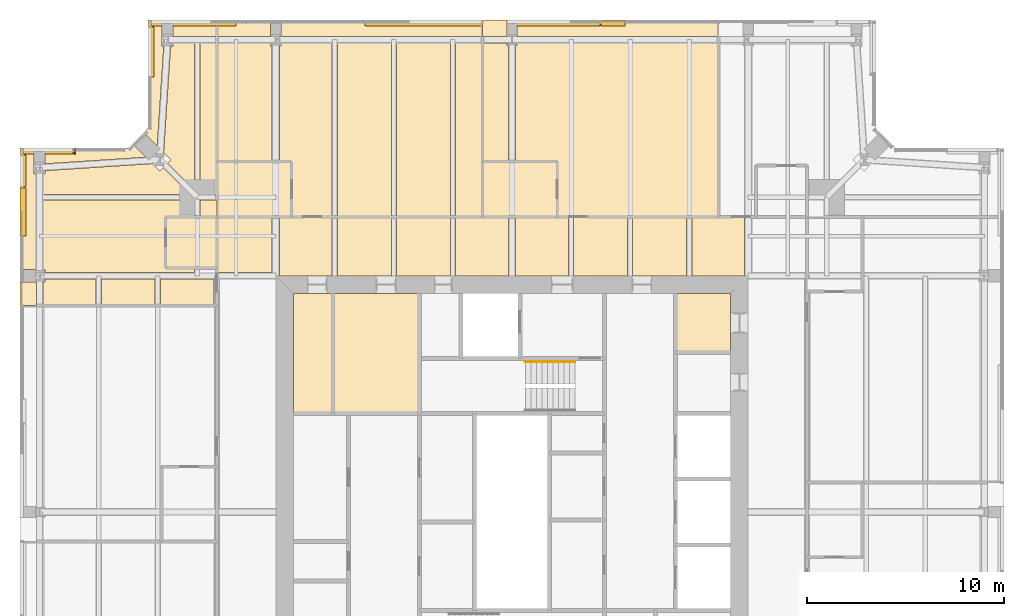
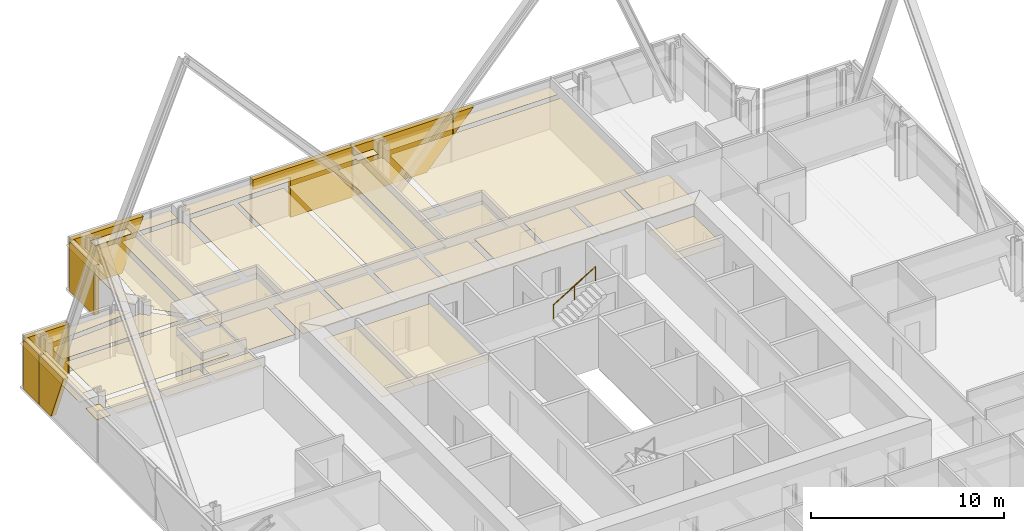
# One storey, part 18 of 19: 48 coverings, 1 railing.
"""IFC4 building model written with IfcOpenShell, lengths in metres."""

from ifc_helpers import new_model, si_unit, direction, frame, origin, origin_2d, place, context, subcontext, project, spatial, polyline, circle, outline, extrude, material, layer, layer_set, type_object, element, save


model = new_model("IFC4")

# Units and contexts
model_context = context("Model", 3, precision=1e-05, world=origin(), true_north=direction((0.0, 1.0)))
body_context = subcontext(model_context, "Body", "Model", "MODEL_VIEW")
ifc_project = project(units=[si_unit("LENGTHUNIT", "METRE"), si_unit("AREAUNIT", "SQUARE_METRE"), si_unit("VOLUMEUNIT", "CUBIC_METRE"), si_unit("PLANEANGLEUNIT", "RADIAN"), si_unit("MASSUNIT", "GRAM", prefix="KILO")], contexts=[model_context])

# Site, building, storey
site_placement = place(None, origin())
site = spatial("IfcSite", under=ifc_project, at=site_placement, CompositionType="ELEMENT")
building_placement = place(site_placement, origin())
building = spatial("IfcBuilding", under=site, at=building_placement, Name="Fenwick Lantern Interchange", CompositionType="ELEMENT")
storey_placement = place(building_placement, frame((0.0, 0.0, 283.199951171875)))
storey = spatial("IfcBuildingStorey", under=building, at=storey_placement, Name="L68", CompositionType="ELEMENT", Elevation=283.199951171875)

# Coverings
ifc_material_1 = material(Name="Granite cladding, warm grey flamed finish, on aluminium carrier frame", Category="masonry")
ifc_layer_1 = layer(ifc_material_1, 0.300048828125)
ifc_layer_set_1 = layer_set([ifc_layer_1], Name="BRACE CASING PANEL 300")
covering_type_1 = type_object("IfcCoveringType", Name="BRACE CASING PANEL 300", PredefinedType="CLADDING", material=ifc_layer_set_1)
covering_1_placement = place(storey_placement, frame((43.39990234375, 49.89990234375, 1.77685546875), z_axis=(0.0, 0.0, 1.0), x_axis=(-1.0, 0.0, 0.0)))
element("IfcCovering", 1, at=covering_1_placement, inside=storey, type_object=covering_type_1, Name="Brace casing 09 bay 02a", PredefinedType="CLADDING", context=body_context, shape_type="SweptSolid", body=[
    extrude(outline(polyline([(13.8701171875, 0.0), (13.8701171875, 1.373291015625), (12.648193359375, 1.373291015625), (13.8701171875, 0.0)])), frame((0.0, 0.2099609375, 0.0), z_axis=(0.0, -1.0, 0.0), x_axis=(1.0, 0.0, 0.0)), (0.0, 0.0, 1.0), 0.300048828125),
])
covering_2_placement = place(storey_placement, frame((43.39990234375, 49.89990234375, 0.0), z_axis=(0.0, 0.0, 1.0), x_axis=(-1.0, 0.0, 0.0)))
element("IfcCovering", 2, at=covering_2_placement, inside=storey, type_object=covering_type_1, Name="Brace casing 09 bay 03a", PredefinedType="CLADDING", context=body_context, shape_type="SweptSolid", body=[
    extrude(outline(polyline([(15.451171875, 0.0), (19.8701171875, 0.0), (19.8701171875, 3.150146484375), (13.929931640625, 3.150146484375), (13.929931640625, 1.70947265625), (15.451171875, 0.0)])), frame((0.0, 0.2099609375, 0.0), z_axis=(0.0, -1.0, 0.0), x_axis=(1.0, 0.0, 0.0)), (0.0, 0.0, 1.0), 0.300048828125),
])
covering_3_placement = place(storey_placement, frame((43.39990234375, 49.89990234375, 0.0), z_axis=(0.0, 0.0, 1.0), x_axis=(-1.0, 0.0, 0.0)))
element("IfcCovering", 3, at=covering_3_placement, inside=storey, type_object=covering_type_1, Name="Brace casing 09 bay 04a", PredefinedType="CLADDING", context=body_context, shape_type="SweptSolid", body=[
    extrude(outline(polyline([(19.929931640625, 0.0), (23.608642578125, 0.0), (23.608642578125, 2.539794921875), (25.8701171875, 2.539794921875), (25.8701171875, 3.150146484375), (19.929931640625, 3.150146484375), (19.929931640625, 0.0)])), frame((0.0, 0.2099609375, 0.0), z_axis=(0.0, -1.0, 0.0), x_axis=(1.0, 0.0, 0.0)), (0.0, 0.0, 1.0), 0.300048828125),
])
covering_4_placement = place(storey_placement, frame((43.39990234375, 49.89990234375, 0.0), z_axis=(0.0, 0.0, 1.0), x_axis=(-1.0, 0.0, 0.0)))
element("IfcCovering", 4, at=covering_4_placement, inside=storey, type_object=covering_type_1, Name="Brace casing 09 bay 06a", PredefinedType="CLADDING", context=body_context, shape_type="SweptSolid", body=[
    extrude(outline(polyline([(33.708984375, 0.0), (36.739990234375, 0.0), (36.739990234375, 3.150146484375), (32.424072265625, 3.150146484375), (33.708984375, 0.0)])), frame((0.0, 0.2099609375, 0.0), z_axis=(0.0, -1.0, 0.0), x_axis=(1.0, 0.0, 0.0)), (0.0, 0.0, 1.0), 0.300048828125),
])
covering_5_placement = place(storey_placement, frame((6.60009765625, 49.89990234375, 0.0), z_axis=(0.0, 0.0, 1.0), x_axis=(0.0, -1.0, 0.0)))
element("IfcCovering", 5, at=covering_5_placement, inside=storey, type_object=covering_type_1, Name="Brace casing 10 bay 00a", PredefinedType="CLADDING", context=body_context, shape_type="SweptSolid", body=[
    extrude(outline(polyline([(0.260009765625, 0.0), (2.790771484375, 0.0), (2.790771484375, 3.150146484375), (0.260009765625, 3.150146484375), (0.260009765625, 0.0)])), frame((0.0, 0.2099609375, 0.0), z_axis=(0.0, -1.0, 0.0), x_axis=(1.0, 0.0, 0.0)), (0.0, 0.0, 1.0), 0.300048828125),
])
covering_6_placement = place(storey_placement, frame((5.54150390625, 43.39990234375, 0.0), z_axis=(0.0, 0.0, 1.0), x_axis=(-1.0, 0.0, 0.0)))
element("IfcCovering", 6, at=covering_6_placement, inside=storey, type_object=covering_type_1, Name="Brace casing 12 bay 00a", PredefinedType="CLADDING", context=body_context, shape_type="SweptSolid", body=[
    extrude(outline(polyline([(2.741455078125, 0.0), (2.790771484375, 0.0), (2.790771484375, 3.150146484375), (2.741455078125, 3.150146484375), (2.741455078125, 0.0)])), frame((0.0, 0.2099609375, 0.0), z_axis=(0.0, -1.0, 0.0), x_axis=(1.0, 0.0, 0.0)), (0.0, 0.0, 1.0), 0.300048828125),
])
covering_7_placement = place(storey_placement, frame((5.54150390625, 43.39990234375, 0.0), z_axis=(0.0, 0.0, 1.0), x_axis=(-1.0, 0.0, 0.0)))
element("IfcCovering", 7, at=covering_7_placement, inside=storey, type_object=covering_type_1, Name="Brace casing 12 bay 01a", PredefinedType="CLADDING", context=body_context, shape_type="SweptSolid", body=[
    extrude(outline(polyline([(2.850830078125, 0.0), (5.38134765625, 0.0), (5.38134765625, 3.150146484375), (2.850830078125, 3.150146484375), (2.850830078125, 0.0)])), frame((0.0, 0.2099609375, 0.0), z_axis=(0.0, -1.0, 0.0), x_axis=(1.0, 0.0, 0.0)), (0.0, 0.0, 1.0), 0.300048828125),
])
covering_8_placement = place(storey_placement, frame((0.10009765625, 43.39990234375, 0.0), z_axis=(0.0, 0.0, 1.0), x_axis=(0.0, -1.0, 0.0)))
element("IfcCovering", 8, at=covering_8_placement, inside=storey, type_object=covering_type_1, Name="Brace casing 13 bay 00a", PredefinedType="CLADDING", context=body_context, shape_type="SweptSolid", body=[
    extrude(outline(polyline([(0.260009765625, 0.0), (1.8701171875, 0.0), (1.8701171875, 3.150146484375), (0.260009765625, 3.150146484375), (0.260009765625, 0.0)])), frame((0.0, 0.2099609375, 0.0), z_axis=(0.0, -1.0, 0.0), x_axis=(1.0, 0.0, 0.0)), (0.0, 0.0, 1.0), 0.300048828125),
])
covering_9_placement = place(storey_placement, frame((0.10009765625, 43.39990234375, 0.0), z_axis=(0.0, 0.0, 1.0), x_axis=(0.0, -1.0, 0.0)))
element("IfcCovering", 9, at=covering_9_placement, inside=storey, type_object=covering_type_1, Name="Brace casing 13 bay 01a", PredefinedType="CLADDING", context=body_context, shape_type="SweptSolid", body=[
    extrude(outline(polyline([(1.929931640625, 0.0), (3.091064453125, 0.0), (4.3759765625, 3.150146484375), (1.929931640625, 3.150146484375), (1.929931640625, 0.0)])), frame((0.0, 0.2099609375, 0.0), z_axis=(0.0, -1.0, 0.0), x_axis=(1.0, 0.0, 0.0)), (0.0, 0.0, 1.0), 0.300048828125),
])

# Railing
ifc_material_2 = material(Name="Stainless steel handrail", Category="steel")
railing_type = type_object("IfcRailingType", Name="HANDRAIL 900", PredefinedType="HANDRAIL", material=ifc_material_2)
railing_placement = place(storey_placement, frame((25.679931640625, 32.6259765625, 1.8701171875)))
element("IfcRailing", 10, at=railing_placement, inside=storey, type_object=railing_type, Name="L68/STAIR/ST2/HR2", PredefinedType="HANDRAIL", context=body_context, shape_type="SweptSolid", body=[
    extrude(circle(Radius=0.02392578125, at=origin_2d()), frame((0.0, 0.0, 0.8759765625), z_axis=(0.85478489116, 0.0, 0.518982456201), x_axis=(0.0, 1.0, 0.0)), (0.0, 0.0, 1.0), 2.9482421875),
    extrude(circle(Radius=0.02099609375, at=origin_2d()), origin(), (0.0, 0.0, 1.0), 0.851806640625),
    extrude(circle(Radius=0.02099609375, at=origin_2d()), frame((1.260009765625, 0.0, 0.76513671875)), (0.0, 0.0, 1.0), 0.851806640625),
    extrude(circle(Radius=0.02099609375, at=origin_2d()), frame((2.52001953125, 0.0, 1.530029296875)), (0.0, 0.0, 1.0), 0.851806640625),
])

# Coverings
ifc_material_3 = material(Name="Moisture resistant gypsum board on suspended frame, painted")
ifc_layer_2 = layer(ifc_material_3, 0.014892578125)
ifc_layer_set_2 = layer_set([ifc_layer_2], Name="MOISTURE RESISTANT CEILING 15")
covering_type_2 = type_object("IfcCoveringType", Name="MOISTURE RESISTANT CEILING 15", PredefinedType="CEILING", material=ifc_layer_set_2)
covering_10_placement = place(storey_placement, frame((0.0, 0.0, 2.60009765625)))
element("IfcCovering", 11, at=covering_10_placement, inside=storey, type_object=covering_type_2, Name="Women's WC ceiling", PredefinedType="CEILING", context=body_context, shape_type="SweptSolid", body=[
    extrude(outline(polyline([(20.300048828125, 36.10009765625), (15.89990234375, 36.10009765625), (15.89990234375, 30.0), (20.300048828125, 30.0), (20.300048828125, 36.10009765625)])), origin(), (0.0, 0.0, 1.0), 0.014892578125),
])
covering_11_placement = place(storey_placement, frame((0.0, 0.0, 2.60009765625)))
element("IfcCovering", 12, at=covering_11_placement, inside=storey, type_object=covering_type_2, Name="Men's WC ceiling", PredefinedType="CEILING", context=body_context, shape_type="SweptSolid", body=[
    extrude(outline(polyline([(15.89990234375, 36.10009765625), (13.89990234375, 36.10009765625), (13.89990234375, 30.0), (15.89990234375, 30.0), (15.89990234375, 36.10009765625)])), origin(), (0.0, 0.0, 1.0), 0.014892578125),
])
covering_12_placement = place(storey_placement, frame((0.0, 0.0, 2.60009765625)))
element("IfcCovering", 13, at=covering_12_placement, inside=storey, type_object=covering_type_2, Name="Accessible WC ceiling", PredefinedType="CEILING", context=body_context, shape_type="SweptSolid", body=[
    extrude(outline(polyline([(36.10009765625, 36.10009765625), (33.300048828125, 36.10009765625), (33.300048828125, 33.10009765625), (36.10009765625, 33.10009765625), (36.10009765625, 36.10009765625)])), origin(), (0.0, 0.0, 1.0), 0.014892578125),
])
covering_13_placement = place(storey_placement, frame((0.0, 0.0, 2.400146484375)))
element("IfcCovering", 14, at=covering_13_placement, inside=storey, type_object=covering_type_2, Name="En-suite 6809 ceiling", PredefinedType="CEILING", context=body_context, shape_type="SweptSolid", body=[
    extrude(outline(polyline([(27.300048828125, 42.800048828125), (23.5, 42.800048828125), (23.5, 40.0), (27.300048828125, 40.0), (27.300048828125, 42.800048828125)])), origin(), (0.0, 0.0, 1.0), 0.014892578125),
])
covering_14_placement = place(storey_placement, frame((0.0, 0.0, 2.400146484375)))
element("IfcCovering", 15, at=covering_14_placement, inside=storey, type_object=covering_type_2, Name="En-suite 6810 ceiling", PredefinedType="CEILING", context=body_context, shape_type="SweptSolid", body=[
    extrude(outline(polyline([(13.800048828125, 42.800048828125), (10.0, 42.800048828125), (10.0, 40.0), (13.800048828125, 40.0), (13.800048828125, 42.800048828125)])), origin(), (0.0, 0.0, 1.0), 0.014892578125),
])
covering_15_placement = place(storey_placement, frame((0.0, 0.0, 2.400146484375)))
element("IfcCovering", 16, at=covering_15_placement, inside=storey, type_object=covering_type_2, Name="En-suite 6811 ceiling", PredefinedType="CEILING", context=body_context, shape_type="SweptSolid", body=[
    extrude(outline(polyline([(7.39990234375, 40.0), (7.39990234375, 37.39990234375), (10.0, 37.39990234375), (10.0, 40.0), (7.39990234375, 40.0)])), origin(), (0.0, 0.0, 1.0), 0.014892578125),
])
ifc_material_4 = material(Name="Gypsum plasterboard on suspended frame, painted")
ifc_layer_3 = layer(ifc_material_4, 0.014892578125)
ifc_layer_set_3 = layer_set([ifc_layer_3], Name="PLASTERBOARD CEILING 15")
covering_type_3 = type_object("IfcCoveringType", Name="PLASTERBOARD CEILING 15", PredefinedType="CEILING", material=ifc_layer_set_3)
covering_16_placement = place(storey_placement, frame((0.0, 0.0, 2.60009765625)))
element("IfcCovering", 17, at=covering_16_placement, inside=storey, type_object=covering_type_3, Name="Corridor ceiling", PredefinedType="CEILING", context=body_context, shape_type="SweptSolid", body=[
    extrude(outline(polyline([(18.865478515625, 40.0), (16.134521484375, 40.0), (16.134521484375, 37.0), (18.865478515625, 37.0), (18.865478515625, 40.0)])), origin(), (0.0, 0.0, 1.0), 0.014892578125),
])
covering_17_placement = place(storey_placement, frame((0.0, 0.0, 2.60009765625)))
element("IfcCovering", 18, at=covering_17_placement, inside=storey, type_object=covering_type_3, Name="Corridor ceiling", PredefinedType="CEILING", context=body_context, shape_type="SweptSolid", body=[
    extrude(outline(polyline([(21.865478515625, 40.0), (19.134521484375, 40.0), (19.134521484375, 37.0), (21.865478515625, 37.0), (21.865478515625, 40.0)])), origin(), (0.0, 0.0, 1.0), 0.014892578125),
])
covering_18_placement = place(storey_placement, frame((0.0, 0.0, 2.60009765625)))
element("IfcCovering", 19, at=covering_18_placement, inside=storey, type_object=covering_type_3, Name="Corridor ceiling", PredefinedType="CEILING", context=body_context, shape_type="SweptSolid", body=[
    extrude(outline(polyline([(30.865478515625, 40.0), (28.134521484375, 40.0), (28.134521484375, 37.0), (30.865478515625, 37.0), (30.865478515625, 40.0)])), origin(), (0.0, 0.0, 1.0), 0.014892578125),
])
covering_19_placement = place(storey_placement, frame((0.0, 0.0, 2.60009765625)))
element("IfcCovering", 20, at=covering_19_placement, inside=storey, type_object=covering_type_3, Name="Corridor ceiling", PredefinedType="CEILING", context=body_context, shape_type="SweptSolid", body=[
    extrude(outline(polyline([(33.865478515625, 40.0), (31.134521484375, 40.0), (31.134521484375, 37.0), (33.865478515625, 37.0), (33.865478515625, 40.0)])), origin(), (0.0, 0.0, 1.0), 0.014892578125),
])
covering_20_placement = place(storey_placement, frame((0.0, 0.0, 2.60009765625)))
element("IfcCovering", 21, at=covering_20_placement, inside=storey, type_object=covering_type_3, Name="Corridor ceiling", PredefinedType="CEILING", context=body_context, shape_type="SweptSolid", body=[
    extrude(outline(polyline([(15.865478515625, 40.0), (13.183837890625, 40.0), (13.183837890625, 37.0), (15.865478515625, 37.0), (15.865478515625, 40.0)])), origin(), (0.0, 0.0, 1.0), 0.014892578125),
])
covering_21_placement = place(storey_placement, frame((0.0, 0.0, 2.60009765625)))
element("IfcCovering", 22, at=covering_21_placement, inside=storey, type_object=covering_type_3, Name="Corridor ceiling", PredefinedType="CEILING", context=body_context, shape_type="SweptSolid", body=[
    extrude(outline(polyline([(24.816162109375, 40.0), (22.134521484375, 40.0), (22.134521484375, 37.0), (24.816162109375, 37.0), (24.816162109375, 40.0)])), origin(), (0.0, 0.0, 1.0), 0.014892578125),
])
covering_22_placement = place(storey_placement, frame((0.0, 0.0, 2.60009765625)))
element("IfcCovering", 23, at=covering_22_placement, inside=storey, type_object=covering_type_3, Name="Corridor ceiling", PredefinedType="CEILING", context=body_context, shape_type="SweptSolid", body=[
    extrude(outline(polyline([(27.865478515625, 40.0), (25.183837890625, 40.0), (25.183837890625, 37.0), (27.865478515625, 37.0), (27.865478515625, 40.0)])), origin(), (0.0, 0.0, 1.0), 0.014892578125),
])
covering_23_placement = place(storey_placement, frame((0.0, 0.0, 2.60009765625)))
element("IfcCovering", 24, at=covering_23_placement, inside=storey, type_object=covering_type_3, Name="Corridor ceiling", PredefinedType="CEILING", context=body_context, shape_type="SweptSolid", body=[
    extrude(outline(polyline([(36.816162109375, 40.0), (34.134521484375, 40.0), (34.134521484375, 37.0), (36.816162109375, 37.0), (36.816162109375, 40.0)])), origin(), (0.0, 0.0, 1.0), 0.014892578125),
])
covering_24_placement = place(storey_placement, frame((0.0, 0.0, 2.60009765625)))
element("IfcCovering", 25, at=covering_24_placement, inside=storey, type_object=covering_type_3, Name="Corridor ceiling", PredefinedType="CEILING", context=body_context, shape_type="SweptSolid", body=[
    extrude(outline(polyline([(12.816162109375, 40.0), (10.0, 40.0), (10.0, 37.166015625), (12.816162109375, 37.166015625), (12.816162109375, 40.0)])), origin(), (0.0, 0.0, 1.0), 0.014892578125),
])
covering_25_placement = place(storey_placement, frame((0.0, 0.0, 2.572998046875)))
element("IfcCovering", 26, at=covering_25_placement, inside=storey, type_object=covering_type_3, Name="Guest suite 6809 ceiling", PredefinedType="CEILING", context=body_context, shape_type="SweptSolid", body=[
    extrude(outline(polyline([(25.26220703125, 48.71240234375), (25.183837890625, 48.71240234375), (25.183837890625, 42.800048828125), (27.300048828125, 42.800048828125), (27.300048828125, 40.0), (35.5, 40.0), (35.5, 48.82763671875), (25.26220703125, 48.82763671875), (25.26220703125, 48.71240234375)])), origin(), (0.0, 0.0, 1.0), 0.014892578125),
])
covering_26_placement = place(storey_placement, frame((0.0, 0.0, 2.572998046875)))
element("IfcCovering", 27, at=covering_26_placement, inside=storey, type_object=covering_type_3, Name="Guest suite 6809 ceiling", PredefinedType="CEILING", context=body_context, shape_type="SweptSolid", body=[
    extrude(outline(polyline([(25.26220703125, 50.0), (25.26220703125, 49.17236328125), (35.5, 49.17236328125), (35.5, 50.0), (25.26220703125, 50.0)])), origin(), (0.0, 0.0, 1.0), 0.014892578125),
])
covering_27_placement = place(storey_placement, frame((0.0, 0.0, 2.572998046875)))
element("IfcCovering", 28, at=covering_27_placement, inside=storey, type_object=covering_type_3, Name="Guest suite 6809 ceiling", PredefinedType="CEILING", context=body_context, shape_type="SweptSolid", body=[
    extrude(outline(polyline([(24.73779296875, 48.71240234375), (24.73779296875, 48.82763671875), (23.5, 48.82763671875), (23.5, 42.800048828125), (24.816162109375, 42.800048828125), (24.816162109375, 48.71240234375), (24.73779296875, 48.71240234375)])), origin(), (0.0, 0.0, 1.0), 0.014892578125),
])
covering_28_placement = place(storey_placement, frame((0.0, 0.0, 2.572998046875)))
element("IfcCovering", 29, at=covering_28_placement, inside=storey, type_object=covering_type_3, Name="Guest suite 6809 ceiling", PredefinedType="CEILING", context=body_context, shape_type="SweptSolid", body=[
    extrude(outline(polyline([(24.73779296875, 49.17236328125), (24.73779296875, 50.0), (23.5, 50.0), (23.5, 49.17236328125), (24.73779296875, 49.17236328125)])), origin(), (0.0, 0.0, 1.0), 0.014892578125),
])
covering_29_placement = place(storey_placement, frame((0.0, 0.0, 2.699951171875)))
element("IfcCovering", 30, at=covering_29_placement, inside=storey, type_object=covering_type_3, Name="Guest suite 6810 ceiling", PredefinedType="CEILING", context=body_context, shape_type="SweptSolid", body=[
    extrude(outline(polyline([(16.134521484375, 40.0), (18.865478515625, 40.0), (18.865478515625, 48.82763671875), (16.134521484375, 48.82763671875), (16.134521484375, 40.0)])), origin(), (0.0, 0.0, 1.0), 0.01513671875),
])
covering_30_placement = place(storey_placement, frame((0.0, 0.0, 2.699951171875)))
element("IfcCovering", 31, at=covering_30_placement, inside=storey, type_object=covering_type_3, Name="Guest suite 6810 ceiling", PredefinedType="CEILING", context=body_context, shape_type="SweptSolid", body=[
    extrude(outline(polyline([(19.134521484375, 40.0), (21.865478515625, 40.0), (21.865478515625, 48.82763671875), (19.134521484375, 48.82763671875), (19.134521484375, 40.0)])), origin(), (0.0, 0.0, 1.0), 0.01513671875),
])
covering_31_placement = place(storey_placement, frame((0.0, 0.0, 2.699951171875)))
element("IfcCovering", 32, at=covering_31_placement, inside=storey, type_object=covering_type_3, Name="Guest suite 6810 ceiling", PredefinedType="CEILING", context=body_context, shape_type="SweptSolid", body=[
    extrude(outline(polyline([(13.27099609375, 48.6845703125), (13.183837890625, 48.6845703125), (13.183837890625, 42.800048828125), (13.800048828125, 42.800048828125), (13.800048828125, 40.0), (15.865478515625, 40.0), (15.865478515625, 48.82763671875), (13.27099609375, 48.82763671875), (13.27099609375, 48.6845703125)])), origin(), (0.0, 0.0, 1.0), 0.01513671875),
])
covering_32_placement = place(storey_placement, frame((0.0, 0.0, 2.699951171875)))
element("IfcCovering", 33, at=covering_32_placement, inside=storey, type_object=covering_type_3, Name="Guest suite 6810 ceiling", PredefinedType="CEILING", context=body_context, shape_type="SweptSolid", body=[
    extrude(outline(polyline([(12.72900390625, 48.6845703125), (12.72900390625, 48.82763671875), (10.0, 48.82763671875), (10.0, 42.800048828125), (12.816162109375, 42.800048828125), (12.816162109375, 48.6845703125), (12.72900390625, 48.6845703125)])), origin(), (0.0, 0.0, 1.0), 0.01513671875),
])
covering_33_placement = place(storey_placement, frame((0.0, 0.0, 2.699951171875)))
element("IfcCovering", 34, at=covering_33_placement, inside=storey, type_object=covering_type_3, Name="Guest suite 6810 ceiling", PredefinedType="CEILING", context=body_context, shape_type="SweptSolid", body=[
    extrude(outline(polyline([(23.5, 40.0), (23.5, 48.82763671875), (22.134521484375, 48.82763671875), (22.134521484375, 40.0), (23.5, 40.0)])), origin(), (0.0, 0.0, 1.0), 0.01513671875),
])
covering_34_placement = place(storey_placement, frame((0.0, 0.0, 2.699951171875)))
element("IfcCovering", 35, at=covering_34_placement, inside=storey, type_object=covering_type_3, Name="Guest suite 6810 ceiling", PredefinedType="CEILING", context=body_context, shape_type="SweptSolid", body=[
    extrude(outline(polyline([(13.27099609375, 50.0), (13.27099609375, 49.17236328125), (23.5, 49.17236328125), (23.5, 50.0), (13.27099609375, 50.0)])), origin(), (0.0, 0.0, 1.0), 0.01513671875),
])
covering_35_placement = place(storey_placement, frame((0.0, 0.0, 2.699951171875)))
element("IfcCovering", 36, at=covering_35_placement, inside=storey, type_object=covering_type_3, Name="Guest suite 6810 ceiling", PredefinedType="CEILING", context=body_context, shape_type="SweptSolid", body=[
    extrude(outline(polyline([(12.72900390625, 49.17236328125), (12.72900390625, 50.0), (10.0, 50.0), (10.0, 49.17236328125), (12.72900390625, 49.17236328125)])), origin(), (0.0, 0.0, 1.0), 0.01513671875),
])
covering_36_placement = place(storey_placement, frame((0.0, 0.0, 2.699951171875)))
element("IfcCovering", 37, at=covering_36_placement, inside=storey, type_object=covering_type_3, Name="Guest suite 6811 ceiling", PredefinedType="CEILING", context=body_context, shape_type="SweptSolid", body=[
    extrude(outline(polyline([(7.39990234375, 40.0), (8.865478515625, 40.0), (8.865478515625, 40.865478515625), (1.17236328125, 40.865478515625), (1.17236328125, 37.3154296875), (1.27099609375, 37.3154296875), (1.27099609375, 37.166015625), (8.865478515625, 37.166015625), (8.865478515625, 37.39990234375), (7.39990234375, 37.39990234375), (7.39990234375, 40.0)])), origin(), (0.0, 0.0, 1.0), 0.01513671875),
])
covering_37_placement = place(storey_placement, frame((0.0, 0.0, 2.699951171875)))
element("IfcCovering", 38, at=covering_37_placement, inside=storey, type_object=covering_type_3, Name="Guest suite 6811 ceiling", PredefinedType="CEILING", context=body_context, shape_type="SweptSolid", body=[
    extrude(outline(polyline([(1.27734375, 42.16552734375), (1.17236328125, 42.16552734375), (1.17236328125, 41.134521484375), (8.648681640625, 41.134521484375), (7.28271484375, 42.500244140625), (7.10009765625, 42.3173828125), (6.715576171875, 42.701904296875), (1.27734375, 42.345458984375), (1.27734375, 42.16552734375)])), origin(), (0.0, 0.0, 1.0), 0.01513671875),
])
covering_38_placement = place(storey_placement, frame((0.0, 0.0, 2.699951171875)))
element("IfcCovering", 39, at=covering_38_placement, inside=storey, type_object=covering_type_3, Name="Guest suite 6811 ceiling", PredefinedType="CEILING", context=body_context, shape_type="SweptSolid", body=[
    extrude(outline(polyline([(7.77734375, 48.66552734375), (7.65087890625, 48.66552734375), (7.298095703125, 43.284423828125), (7.6826171875, 42.89990234375), (7.499755859375, 42.71728515625), (8.865478515625, 41.351318359375), (8.865478515625, 48.82763671875), (7.77734375, 48.82763671875), (7.77734375, 48.66552734375)])), origin(), (0.0, 0.0, 1.0), 0.01513671875),
])
covering_39_placement = place(storey_placement, frame((0.0, 0.0, 2.699951171875)))
element("IfcCovering", 40, at=covering_39_placement, inside=storey, type_object=covering_type_3, Name="Guest suite 6811 ceiling", PredefinedType="CEILING", context=body_context, shape_type="SweptSolid", body=[
    extrude(outline(polyline([(10.0, 41.134521484375), (10.0, 48.82763671875), (9.134521484375, 48.82763671875), (9.134521484375, 41.134521484375), (10.0, 41.134521484375)])), origin(), (0.0, 0.0, 1.0), 0.01513671875),
])
covering_40_placement = place(storey_placement, frame((0.0, 0.0, 2.699951171875)))
element("IfcCovering", 41, at=covering_40_placement, inside=storey, type_object=covering_type_3, Name="Guest suite 6811 ceiling", PredefinedType="CEILING", context=body_context, shape_type="SweptSolid", body=[
    extrude(outline(polyline([(0.0, 37.3154296875), (0.82763671875, 37.3154296875), (0.82763671875, 42.16552734375), (0.72265625, 42.16552734375), (0.72265625, 43.5), (0.0, 43.5), (0.0, 37.3154296875)])), origin(), (0.0, 0.0, 1.0), 0.01513671875),
])
covering_41_placement = place(storey_placement, frame((0.0, 0.0, 2.699951171875)))
element("IfcCovering", 42, at=covering_41_placement, inside=storey, type_object=covering_type_3, Name="Guest suite 6811 ceiling", PredefinedType="CEILING", context=body_context, shape_type="SweptSolid", body=[
    extrude(outline(polyline([(7.30517578125, 48.66552734375), (7.22265625, 48.66552734375), (7.22265625, 50.0), (6.5, 50.0), (6.5, 44.5), (6.291259765625, 44.291259765625), (6.9736328125, 43.60888671875), (7.30517578125, 48.66552734375)])), origin(), (0.0, 0.0, 1.0), 0.01513671875),
])
covering_42_placement = place(storey_placement, frame((0.0, 0.0, 2.699951171875)))
element("IfcCovering", 43, at=covering_42_placement, inside=storey, type_object=covering_type_3, Name="Guest suite 6811 ceiling", PredefinedType="CEILING", context=body_context, shape_type="SweptSolid", body=[
    extrude(outline(polyline([(4.134521484375, 35.5), (6.865478515625, 35.5), (6.865478515625, 36.833984375), (4.134521484375, 36.833984375), (4.134521484375, 35.5)])), origin(), (0.0, 0.0, 1.0), 0.01513671875),
])
covering_43_placement = place(storey_placement, frame((0.0, 0.0, 2.699951171875)))
element("IfcCovering", 44, at=covering_43_placement, inside=storey, type_object=covering_type_3, Name="Guest suite 6811 ceiling", PredefinedType="CEILING", context=body_context, shape_type="SweptSolid", body=[
    extrude(outline(polyline([(7.134521484375, 35.5), (9.865478515625, 35.5), (9.865478515625, 36.833984375), (7.134521484375, 36.833984375), (7.134521484375, 35.5)])), origin(), (0.0, 0.0, 1.0), 0.01513671875),
])
covering_44_placement = place(storey_placement, frame((0.0, 0.0, 2.699951171875)))
element("IfcCovering", 45, at=covering_44_placement, inside=storey, type_object=covering_type_3, Name="Guest suite 6811 ceiling", PredefinedType="CEILING", context=body_context, shape_type="SweptSolid", body=[
    extrude(outline(polyline([(1.17236328125, 35.5), (3.865478515625, 35.5), (3.865478515625, 36.833984375), (1.27099609375, 36.833984375), (1.27099609375, 36.6845703125), (1.17236328125, 36.6845703125), (1.17236328125, 35.5)])), origin(), (0.0, 0.0, 1.0), 0.01513671875),
])
covering_45_placement = place(storey_placement, frame((0.0, 0.0, 2.699951171875)))
element("IfcCovering", 46, at=covering_45_placement, inside=storey, type_object=covering_type_3, Name="Guest suite 6811 ceiling", PredefinedType="CEILING", context=body_context, shape_type="SweptSolid", body=[
    extrude(outline(polyline([(1.27734375, 43.5), (1.27734375, 42.69091796875), (6.39111328125, 43.0263671875), (5.708740234375, 43.708740234375), (5.5, 43.5), (1.27734375, 43.5)])), origin(), (0.0, 0.0, 1.0), 0.01513671875),
])
covering_46_placement = place(storey_placement, frame((0.0, 0.0, 2.699951171875)))
element("IfcCovering", 47, at=covering_46_placement, inside=storey, type_object=covering_type_3, Name="Guest suite 6811 ceiling", PredefinedType="CEILING", context=body_context, shape_type="SweptSolid", body=[
    extrude(outline(polyline([(7.77734375, 50.0), (7.77734375, 49.17236328125), (10.0, 49.17236328125), (10.0, 50.0), (7.77734375, 50.0)])), origin(), (0.0, 0.0, 1.0), 0.01513671875),
])
covering_47_placement = place(storey_placement, frame((0.0, 0.0, 2.699951171875)))
element("IfcCovering", 48, at=covering_47_placement, inside=storey, type_object=covering_type_3, Name="Guest suite 6811 ceiling", PredefinedType="CEILING", context=body_context, shape_type="SweptSolid", body=[
    extrude(outline(polyline([(0.0, 35.5), (0.82763671875, 35.5), (0.82763671875, 36.6845703125), (0.0, 36.6845703125), (0.0, 35.5)])), origin(), (0.0, 0.0, 1.0), 0.01513671875),
])
covering_48_placement = place(storey_placement, frame((0.0, 0.0, 2.699951171875)))
element("IfcCovering", 49, at=covering_48_placement, inside=storey, type_object=covering_type_3, Name="Guest suite 6811 ceiling", PredefinedType="CEILING", context=body_context, shape_type="SweptSolid", body=[
    extrude(outline(polyline([(10.0, 40.0), (10.0, 40.865478515625), (9.134521484375, 40.865478515625), (9.134521484375, 40.0), (10.0, 40.0)])), origin(), (0.0, 0.0, 1.0), 0.01513671875),
])

save(model, "model.ifc")
